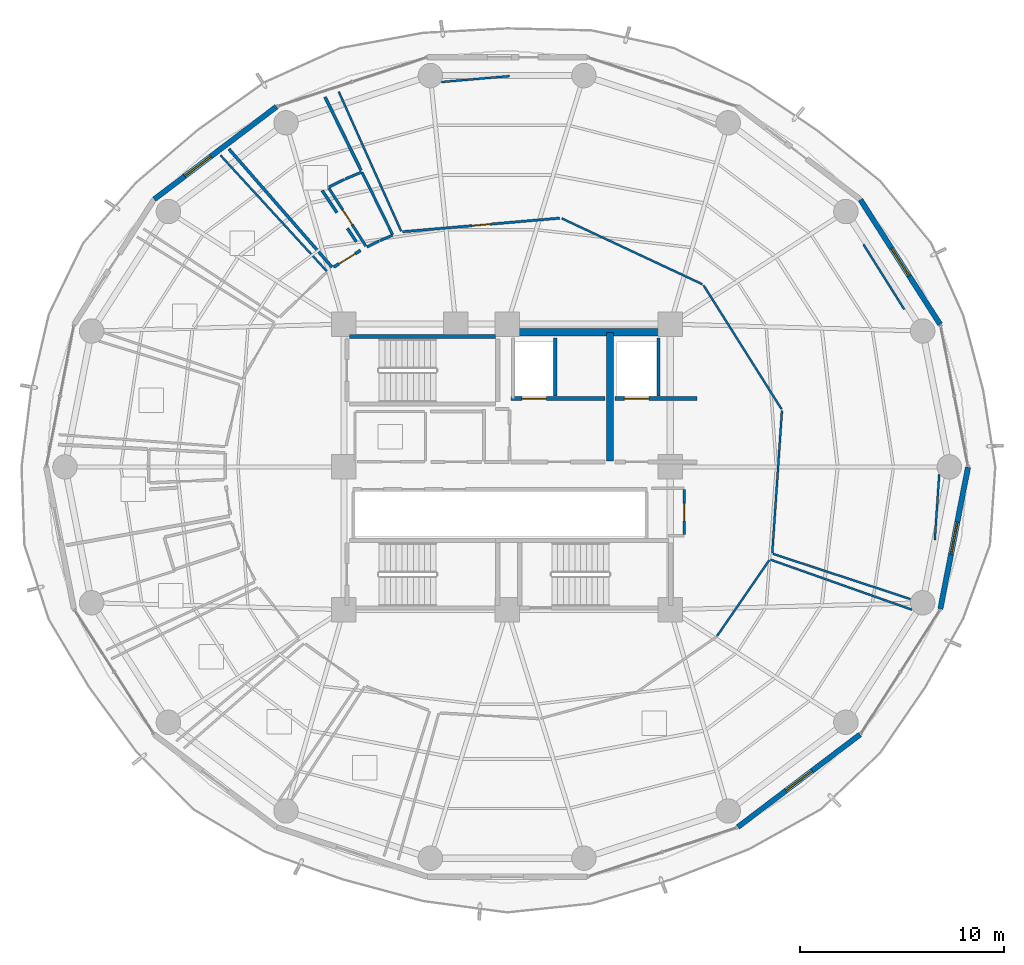
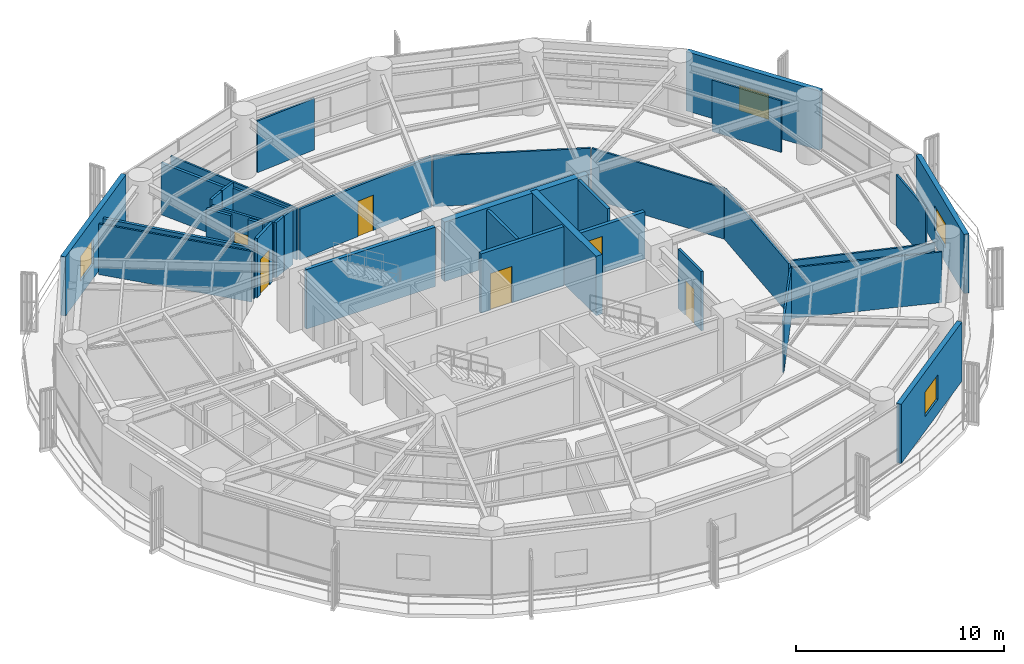
# One storey, part 23 of 28: 35 walls, 6 doors, 4 windows, 10 openings.
"""IFC4 building model written with IfcOpenShell, lengths in metres."""

from ifc_helpers import new_model, si_unit, direction, frame, frame_2d, origin, place, context, subcontext, project, spatial, rectangle, extrude, material, layer, layer_set, type_object, element, fill, save


model = new_model("IFC4")

# Units and contexts
model_context = context("Model", 3, precision=1e-05, world=origin(), true_north=direction((0.0, 1.0)))
body_context = subcontext(model_context, "Body", "Model", "MODEL_VIEW")
ifc_project = project(units=[si_unit("LENGTHUNIT", "METRE"), si_unit("AREAUNIT", "SQUARE_METRE"), si_unit("VOLUMEUNIT", "CUBIC_METRE"), si_unit("PLANEANGLEUNIT", "RADIAN"), si_unit("MASSUNIT", "GRAM", prefix="KILO")], contexts=[model_context])

# Site, building, storey
site_placement = place(None, origin())
site = spatial("IfcSite", under=ifc_project, at=site_placement, CompositionType="ELEMENT")
building_placement = place(site_placement, origin())
building = spatial("IfcBuilding", under=site, at=building_placement, Name="Kelanora Arch Commons", CompositionType="ELEMENT")
storey_placement = place(building_placement, frame((0.0, 0.0, 180.60009765625)))
storey = spatial("IfcBuildingStorey", under=building, at=storey_placement, Name="L46", CompositionType="ELEMENT", Elevation=180.60009765625)

# Walls
ifc_material_1 = material(Name="Autoclaved aerated concrete blockwork with fire plaster", Category="masonry")
ifc_layer_1 = layer(ifc_material_1, 0.14990234375)
ifc_layer_set_1 = layer_set([ifc_layer_1], Name="Autoclaved aerated concrete blockwork with fire plaster")
wall_type_1 = type_object("IfcWallType", Name="W-COMP-150", PredefinedType="PARTITIONING", material=ifc_layer_set_1)
for number, where, z_axis, x_axis, name in (
    (1, (76.360107421875, 61.47998046875, 0.0), (0.0, 0.0, 1.0), (0.0, 1.0, 0.0), "Firefighting Lift 1 East Shaft Wall L46"),
    (2, (81.419921875, 61.47998046875, 0.0), (0.0, 0.0, 1.0), (0.0, 1.0, 0.0), "Firefighting Lift 2 East Shaft Wall L46"),
):
    element("IfcWall", number, at=place(storey_placement, frame(where, z_axis=z_axis, x_axis=x_axis)), inside=storey, type_object=wall_type_1, Name=name, PredefinedType="PARTITIONING", context=body_context, shape_type="SweptSolid", body=[
        extrude(rectangle(XDim=2.840087890625, YDim=0.14990234375, at=frame_2d((1.419921875, 0.0))), origin(), (0.0, 0.0, 1.0), 3.47998046875),
    ])

# Wall, opening, door
wall_1_placement = place(storey_placement, frame((66.81396484375, 68.616455078125, 0.0), z_axis=(0.0, 0.0, 1.0), x_axis=(-0.849572284685, -0.527472210732, 0.0)))
wall_1 = element("IfcWall", 3, at=wall_1_placement, inside=storey, type_object=wall_type_1, Name="Co-Living Studio L46-01 Entry Partition", PredefinedType="PARTITIONING", context=body_context, shape_type="SweptSolid", body=[
    extrude(rectangle(XDim=1.55615234375, YDim=0.14990234375, at=frame_2d((0.778076171875, 0.0))), origin(), (0.0, 0.0, 1.0), 3.47998046875),
])
opening_1_placement = place(wall_1_placement, frame((0.302978515625, 0.0, 0.0)))
opening_1 = element("IfcOpeningElement", 4, at=opening_1_placement, cuts=wall_1, Name="Opening D-CLU1", PredefinedType="OPENING", context=body_context, shape_type="SweptSolid", body=[
    extrude(rectangle(XDim=0.949951171875, YDim=2.080078125, at=frame_2d((0.47509765625, 1.0400390625))), frame((0.0, 0.0849609375, 0.0), z_axis=(0.0, -1.0, 0.0), x_axis=(1.0, 0.0, 0.0)), (0.0, 0.0, 1.0), 0.169921875),
])
ifc_material_2 = material(Name="Solid-core acoustic timber cluster entry fire door", Category="wood")
door_type_1 = type_object("IfcDoorType", Name="D-CLU-95", OperationType="NOTDEFINED", PredefinedType="DOOR", material=ifc_material_2)
door_1_placement = place(opening_1_placement, origin())
door_1 = element("IfcDoor", 5, at=door_1_placement, inside=storey, type_object=door_type_1, Name="Co-Living Studio L46-01 Door", OperationType="SINGLE_SWING_LEFT", OverallHeight=2.080078125, OverallWidth=0.949951171875, PredefinedType="DOOR", context=body_context, shape_type="SweptSolid", body=[
    extrude(rectangle(XDim=0.949951171875, YDim=2.080078125, at=frame_2d((0.47509765625, 1.0400390625))), frame((0.0, 0.02490234375, 0.0), z_axis=(0.0, -1.0, 0.0), x_axis=(1.0, 0.0, 0.0)), (0.0, 0.0, 1.0), 0.050048828125),
])
fill(opening_1, door_1)

# Walls
wall_2_placement = place(storey_placement, frame((65.414794921875, 67.794189453125, 0.0), z_axis=(0.0, 0.0, 1.0), x_axis=(-0.657449338105, 0.753498751044, 0.0)))
element("IfcWall", 6, at=wall_2_placement, inside=storey, type_object=wall_type_1, Name="Co-Living Studio L46-01 Enclosure Partition 2", PredefinedType="PARTITIONING", context=body_context, shape_type="SweptSolid", body=[
    extrude(rectangle(XDim=7.6865234375, YDim=0.14990234375, at=frame_2d((3.84326171875, 0.0))), origin(), (0.0, 0.0, 1.0), 2.974853515625),
])
wall_3_placement = place(storey_placement, frame((65.071533203125, 76.13916015625, 0.0), z_axis=(0.0, 0.0, 1.0), x_axis=(0.44056455493, -0.897720932662, 0.0)))
element("IfcWall", 7, at=wall_3_placement, inside=storey, type_object=wall_type_1, Name="Co-Living Studio L46-01 Enclosure Partition 5", PredefinedType="PARTITIONING", context=body_context, shape_type="SweptSolid", body=[
    extrude(rectangle(XDim=4.01708984375, YDim=0.14990234375, at=frame_2d((2.008544921875, 0.0))), origin(), (0.0, 0.0, 1.0), 3.02490234375),
])
wall_4_placement = place(storey_placement, frame((64.93017578125, 71.55078125, 0.0), z_axis=(0.0, 0.0, 1.0), x_axis=(0.554614122057, -0.832107670686, 0.0)))
element("IfcWall", 8, at=wall_4_placement, inside=storey, type_object=wall_type_1, Name="Co-Living Studio L46-01 Enclosure Partition 7", PredefinedType="PARTITIONING", context=body_context, shape_type="SweptSolid", body=[
    extrude(rectangle(XDim=1.30908203125, YDim=0.14990234375, at=frame_2d((0.654541015625, 0.0))), origin(), (0.0, 0.0, 1.0), 3.1748046875),
])
wall_5_placement = place(storey_placement, frame((66.16650390625, 69.69580078125, 0.0), z_axis=(0.0, 0.0, 1.0), x_axis=(0.554700196225, -0.832050294338, 0.0)))
element("IfcWall", 9, at=wall_5_placement, inside=storey, type_object=wall_type_1, Name="Co-Living Studio L46-01 Enclosure Partition 7", PredefinedType="PARTITIONING", context=body_context, shape_type="SweptSolid", body=[
    extrude(rectangle(XDim=0.792236328125, YDim=0.14990234375, at=frame_2d((0.39599609375, 0.0))), origin(), (0.0, 0.0, 1.0), 3.23486328125),
])
ifc_material_3 = material(Name="Concrete C50/60", Category="concrete")
ifc_layer_2 = layer(ifc_material_3, 0.35009765625)
ifc_layer_set_2 = layer_set([ifc_layer_2], Name="Concrete C50/60")
wall_type_2 = type_object("IfcWallType", Name="W-CORE-350", PredefinedType="SHEAR", material=ifc_layer_set_2)
wall_6_placement = place(storey_placement, frame((74.0, 64.60009765625, 0.0), z_axis=(0.0, 0.0, 1.0), x_axis=(1.0, 0.0, 0.0)))
element("IfcWall", 10, at=wall_6_placement, inside=storey, type_object=wall_type_2, Name="Core Shear Spine L46-CN-E", PredefinedType="SHEAR", context=body_context, shape_type="SweptSolid", body=[
    extrude(rectangle(XDim=8.0, YDim=0.35009765625, at=frame_2d((4.0, 0.0))), origin(), (0.0, 0.0, 1.0), 3.489990234375),
])
wall_7_placement = place(storey_placement, frame((79.050048828125, 58.300048828125, 0.0), z_axis=(0.0, 0.0, 1.0), x_axis=(0.0, 1.0, 0.0)))
element("IfcWall", 11, at=wall_7_placement, inside=storey, type_object=wall_type_2, Name="Core Shear Spine L46-CE-N", PredefinedType="SHEAR", context=body_context, shape_type="SweptSolid", body=[
    extrude(rectangle(XDim=6.300048828125, YDim=0.35009765625, at=frame_2d((3.14990234375, 0.0))), origin(), (0.0, 0.0, 1.0), 3.489990234375),
])

# Wall, opening, window
ifc_material_4 = material(Name="Precast concrete C40/50 with terracotta rainscreen", Category="masonry")
ifc_layer_3 = layer(ifc_material_4, 0.260009765625)
ifc_layer_set_3 = layer_set([ifc_layer_3], Name="Precast concrete C40/50 with terracotta rainscreen")
wall_type_3 = type_object("IfcWallType", Name="W-EXT-TC", PredefinedType="SOLIDWALL", material=ifc_layer_set_3)
wall_8_placement = place(storey_placement, frame((95.22900390625, 64.98974609375, 0.0), z_axis=(0.0, 0.0, 1.0), x_axis=(-0.538801521808, 0.842432739213, 0.0)))
wall_8 = element("IfcWall", 12, at=wall_8_placement, inside=storey, type_object=wall_type_3, Name="Terracotta Exterior Wall L46-B01", PredefinedType="SOLIDWALL", context=body_context, shape_type="SweptSolid", body=[
    extrude(rectangle(XDim=7.25341796875, YDim=0.260009765625, at=frame_2d((3.626708984375, 0.0))), origin(), (0.0, 0.0, 1.0), 3.474853515625),
])
opening_2_placement = place(wall_8_placement, frame((2.826904296875, 0.0, 0.85009765625)))
opening_2 = element("IfcOpeningElement", 13, at=opening_2_placement, cuts=wall_8, Name="Opening WN-01", PredefinedType="OPENING", context=body_context, shape_type="SweptSolid", body=[
    extrude(rectangle(XDim=1.60009765625, YDim=1.449951171875, at=frame_2d((0.800048828125, 0.72509765625))), frame((0.0, 0.14013671875, 0.0), z_axis=(0.0, -1.0, 0.0), x_axis=(1.0, 0.0, 0.0)), (0.0, 0.0, 1.0), 0.280029296875),
])
ifc_material_5 = material(Name="Terracotta-anodised aluminium frame with operable low-E glazing", Category="masonry")
window_type = type_object("IfcWindowType", Name="WIN-CL-18", PartitioningType="DOUBLE_PANEL_VERTICAL", PredefinedType="WINDOW", material=ifc_material_5)
window_1_placement = place(opening_2_placement, origin())
window_1 = element("IfcWindow", 14, at=window_1_placement, inside=storey, type_object=window_type, Name="Co-Living Operable Window L46-B01", OverallHeight=1.449951171875, OverallWidth=1.60009765625, PartitioningType="SINGLE_PANEL", PredefinedType="WINDOW", context=body_context, shape_type="SweptSolid", body=[
    extrude(rectangle(XDim=1.60009765625, YDim=1.449951171875, at=frame_2d((0.800048828125, 0.72509765625))), frame((0.0, 0.030029296875, 0.0), z_axis=(0.0, -1.0, 0.0), x_axis=(1.0, 0.0, 0.0)), (0.0, 0.0, 1.0), 0.06005859375),
])
fill(opening_2, window_1)

wall_9_placement = place(storey_placement, frame((62.68798828125, 75.65771484375, 0.0), z_axis=(0.0, 0.0, 1.0), x_axis=(-0.797163719609, -0.603763202042, 0.0)))
wall_9 = element("IfcWall", 15, at=wall_9_placement, inside=storey, type_object=wall_type_3, Name="Terracotta Exterior Wall L46-B06", PredefinedType="SOLIDWALL", context=body_context, shape_type="SweptSolid", body=[
    extrude(rectangle(XDim=7.51220703125, YDim=0.260009765625, at=frame_2d((3.756103515625, 0.0))), origin(), (0.0, 0.0, 1.0), 3.474853515625),
])
opening_3_placement = place(wall_9_placement, frame((4.035888671875, 0.0, 0.85009765625)))
opening_3 = element("IfcOpeningElement", 16, at=opening_3_placement, cuts=wall_9, Name="Opening WN-01", PredefinedType="OPENING", context=body_context, shape_type="SweptSolid", body=[
    extrude(rectangle(XDim=1.60009765625, YDim=1.449951171875, at=frame_2d((0.800048828125, 0.72509765625))), frame((0.0, 0.14013671875, 0.0), z_axis=(0.0, -1.0, 0.0), x_axis=(1.0, 0.0, 0.0)), (0.0, 0.0, 1.0), 0.280029296875),
])
window_2_placement = place(opening_3_placement, origin())
window_2 = element("IfcWindow", 17, at=window_2_placement, inside=storey, type_object=window_type, Name="Co-Living Operable Window L46-B06", OverallHeight=1.449951171875, OverallWidth=1.60009765625, PartitioningType="SINGLE_PANEL", PredefinedType="WINDOW", context=body_context, shape_type="SweptSolid", body=[
    extrude(rectangle(XDim=1.60009765625, YDim=1.449951171875, at=frame_2d((0.800048828125, 0.72509765625))), frame((0.0, 0.030029296875, 0.0), z_axis=(0.0, -1.0, 0.0), x_axis=(1.0, 0.0, 0.0)), (0.0, 0.0, 1.0), 0.06005859375),
])
fill(opening_3, window_2)

wall_10_placement = place(storey_placement, frame((85.31201171875, 40.34228515625, 0.0), z_axis=(0.0, 0.0, 1.0), x_axis=(0.797163719609, 0.603763202042, 0.0)))
wall_10 = element("IfcWall", 18, at=wall_10_placement, inside=storey, type_object=wall_type_3, Name="Terracotta Exterior Wall L46-B15", PredefinedType="SOLIDWALL", context=body_context, shape_type="SweptSolid", body=[
    extrude(rectangle(XDim=7.51220703125, YDim=0.260009765625, at=frame_2d((3.756103515625, 0.0))), origin(), (0.0, 0.0, 1.0), 3.474853515625),
])
opening_4_placement = place(wall_10_placement, frame((2.9560546875, 0.0, 0.85009765625)))
opening_4 = element("IfcOpeningElement", 19, at=opening_4_placement, cuts=wall_10, Name="Opening WN-01", PredefinedType="OPENING", context=body_context, shape_type="SweptSolid", body=[
    extrude(rectangle(XDim=1.60009765625, YDim=1.449951171875, at=frame_2d((0.800048828125, 0.72509765625))), frame((0.0, 0.14013671875, 0.0), z_axis=(0.0, -1.0, 0.0), x_axis=(1.0, 0.0, 0.0)), (0.0, 0.0, 1.0), 0.280029296875),
])
window_3_placement = place(opening_4_placement, origin())
window_3 = element("IfcWindow", 20, at=window_3_placement, inside=storey, type_object=window_type, Name="Co-Living Operable Window L46-B15", OverallHeight=1.449951171875, OverallWidth=1.60009765625, PartitioningType="SINGLE_PANEL", PredefinedType="WINDOW", context=body_context, shape_type="SweptSolid", body=[
    extrude(rectangle(XDim=1.60009765625, YDim=1.449951171875, at=frame_2d((0.800048828125, 0.72509765625))), frame((0.0, 0.030029296875, 0.0), z_axis=(0.0, -1.0, 0.0), x_axis=(1.0, 0.0, 0.0)), (0.0, 0.0, 1.0), 0.06005859375),
])
fill(opening_4, window_3)

wall_11_placement = place(storey_placement, frame((95.239990234375, 51.03759765625, 0.0), z_axis=(0.0, 0.0, 1.0), x_axis=(0.191716984769, 0.981450252306, 0.0)))
wall_11 = element("IfcWall", 21, at=wall_11_placement, inside=storey, type_object=wall_type_3, Name="Terracotta Exterior Wall L46-B17", PredefinedType="SOLIDWALL", context=body_context, shape_type="SweptSolid", body=[
    extrude(rectangle(XDim=7.0791015625, YDim=0.260009765625, at=frame_2d((3.53955078125, 0.0))), origin(), (0.0, 0.0, 1.0), 3.474853515625),
])
opening_5_placement = place(wall_11_placement, frame((2.739990234375, 0.0, 0.85009765625)))
opening_5 = element("IfcOpeningElement", 22, at=opening_5_placement, cuts=wall_11, Name="Opening WN-01", PredefinedType="OPENING", context=body_context, shape_type="SweptSolid", body=[
    extrude(rectangle(XDim=1.60009765625, YDim=1.449951171875, at=frame_2d((0.800048828125, 0.72509765625))), frame((0.0, 0.14013671875, 0.0), z_axis=(0.0, -1.0, 0.0), x_axis=(1.0, 0.0, 0.0)), (0.0, 0.0, 1.0), 0.280029296875),
])
window_4_placement = place(opening_5_placement, origin())
window_4 = element("IfcWindow", 23, at=window_4_placement, inside=storey, type_object=window_type, Name="Co-Living Operable Window L46-B17", OverallHeight=1.449951171875, OverallWidth=1.60009765625, PartitioningType="SINGLE_PANEL", PredefinedType="WINDOW", context=body_context, shape_type="SweptSolid", body=[
    extrude(rectangle(XDim=1.60009765625, YDim=1.449951171875, at=frame_2d((0.800048828125, 0.72509765625))), frame((0.0, 0.030029296875, 0.0), z_axis=(0.0, -1.0, 0.0), x_axis=(1.0, 0.0, 0.0)), (0.0, 0.0, 1.0), 0.06005859375),
])
fill(opening_5, window_4)

# Wall, opening, door
ifc_material_6 = material(Name="Concrete C40/50", Category="concrete")
ifc_layer_4 = layer(ifc_material_6, 0.199951171875)
ifc_layer_set_4 = layer_set([ifc_layer_4], Name="Concrete C40/50")
wall_type_4 = type_object("IfcWallType", Name="W-FFL-200", PredefinedType="SOLIDWALL", material=ifc_layer_set_4)
wall_12_placement = place(storey_placement, frame((74.199951171875, 61.35009765625, 0.0), z_axis=(0.0, 0.0, 1.0), x_axis=(1.0, 0.0, 0.0)))
wall_12 = element("IfcWall", 24, at=wall_12_placement, inside=storey, type_object=wall_type_4, Name="Firefighting Lift 1 Shaft Front L46", PredefinedType="SOLIDWALL", context=body_context, shape_type="SweptSolid", body=[
    extrude(rectangle(XDim=4.60009765625, YDim=0.199951171875, at=frame_2d((2.300048828125, 0.0))), origin(), (0.0, 0.0, 1.0), 3.47998046875),
])
opening_6_placement = place(wall_12_placement, frame((0.52001953125, 0.0, 0.0)))
opening_6 = element("IfcOpeningElement", 25, at=opening_6_placement, cuts=wall_12, Name="Opening LD-FF", PredefinedType="OPENING", context=body_context, shape_type="SweptSolid", body=[
    extrude(rectangle(XDim=1.199951171875, YDim=2.14990234375, at=frame_2d((0.60009765625, 1.074951171875))), frame((0.0, 0.10986328125, 0.0), z_axis=(0.0, -1.0, 0.0), x_axis=(1.0, 0.0, 0.0)), (0.0, 0.0, 1.0), 0.219970703125),
])
ifc_material_7 = material(Name="Fire-rated firefighters lift sliding landing door")
door_type_2 = type_object("IfcDoorType", Name="D-LIFT-FF", OperationType="NOTDEFINED", PredefinedType="DOOR", material=ifc_material_7)
door_2_placement = place(opening_6_placement, origin())
door_2 = element("IfcDoor", 26, at=door_2_placement, inside=storey, type_object=door_type_2, Name="Firefighting Lift LF-FF1 Landing Door L46", OperationType="DOUBLE_DOOR_SLIDING", OverallHeight=2.14990234375, OverallWidth=1.199951171875, PredefinedType="DOOR", context=body_context, shape_type="SweptSolid", body=[
    extrude(rectangle(XDim=1.199951171875, YDim=2.14990234375, at=frame_2d((0.60009765625, 1.074951171875))), frame((0.0, 0.02490234375, 0.0), z_axis=(0.0, -1.0, 0.0), x_axis=(1.0, 0.0, 0.0)), (0.0, 0.0, 1.0), 0.050048828125),
])
fill(opening_6, door_2)

wall_13_placement = place(storey_placement, frame((79.300048828125, 61.35009765625, 0.0), z_axis=(0.0, 0.0, 1.0), x_axis=(1.0, 0.0, 0.0)))
wall_13 = element("IfcWall", 27, at=wall_13_placement, inside=storey, type_object=wall_type_4, Name="Firefighting Lift 2 Shaft Front L46", PredefinedType="SOLIDWALL", context=body_context, shape_type="SweptSolid", body=[
    extrude(rectangle(XDim=4.0, YDim=0.199951171875, at=frame_2d((2.0, 0.0))), origin(), (0.0, 0.0, 1.0), 2.77490234375),
])
opening_7_placement = place(wall_13_placement, frame((0.449951171875, 0.0, 0.0)))
opening_7 = element("IfcOpeningElement", 28, at=opening_7_placement, cuts=wall_13, Name="Opening LD-FF", PredefinedType="OPENING", context=body_context, shape_type="SweptSolid", body=[
    extrude(rectangle(XDim=1.199951171875, YDim=2.14990234375, at=frame_2d((0.60009765625, 1.074951171875))), frame((0.0, 0.10986328125, 0.0), z_axis=(0.0, -1.0, 0.0), x_axis=(1.0, 0.0, 0.0)), (0.0, 0.0, 1.0), 0.219970703125),
])
door_3_placement = place(opening_7_placement, origin())
door_3 = element("IfcDoor", 29, at=door_3_placement, inside=storey, type_object=door_type_2, Name="Firefighting Lift LF-FF2 Landing Door L46", OperationType="DOUBLE_DOOR_SLIDING", OverallHeight=2.14990234375, OverallWidth=1.199951171875, PredefinedType="DOOR", context=body_context, shape_type="SweptSolid", body=[
    extrude(rectangle(XDim=1.199951171875, YDim=2.14990234375, at=frame_2d((0.60009765625, 1.074951171875))), frame((0.0, 0.02490234375, 0.0), z_axis=(0.0, -1.0, 0.0), x_axis=(1.0, 0.0, 0.0)), (0.0, 0.0, 1.0), 0.050048828125),
])
fill(opening_7, door_3)

# Walls
ifc_material_8 = material(Name="Lightweight fire-rated acoustic stud partition")
ifc_layer_5 = layer(ifc_material_8, 0.10009765625)
ifc_layer_set_5 = layer_set([ifc_layer_5], Name="Lightweight fire-rated acoustic stud partition")
wall_type_5 = type_object("IfcWallType", Name="W-PART-100", PredefinedType="PARTITIONING", material=ifc_layer_set_5)
wall_14_placement = place(storey_placement, frame((84.292724609375, 49.7080078125, 0.0), z_axis=(0.0, 0.0, 1.0), x_axis=(0.566732833033, 0.823901630028, 0.0)))
element("IfcWall", 30, at=wall_14_placement, inside=storey, type_object=wall_type_5, Name="South-East Social Sky Lounge L46 Enclosure Partition 4", PredefinedType="PARTITIONING", context=body_context, shape_type="SweptSolid", body=[
    extrude(rectangle(XDim=4.519775390625, YDim=0.10009765625, at=frame_2d((2.259765625, 0.0))), origin(), (0.0, 0.0, 1.0), 2.974853515625),
])
wall_15_placement = place(storey_placement, frame((86.914794921875, 53.45166015625, 0.0), z_axis=(0.0, 0.0, 1.0), x_axis=(0.942679225918, -0.333700280226, 0.0)))
element("IfcWall", 31, at=wall_15_placement, inside=storey, type_object=wall_type_5, Name="South-East Social Sky Lounge L46 Enclosure Partition 5", PredefinedType="PARTITIONING", context=body_context, shape_type="SweptSolid", body=[
    extrude(rectangle(XDim=7.35498046875, YDim=0.10009765625, at=frame_2d((3.677490234375, 0.0))), origin(), (0.0, 0.0, 1.0), 2.974853515625),
])
wall_16_placement = place(storey_placement, frame((86.998779296875, 53.788818359375, 0.0), z_axis=(0.0, 0.0, 1.0), x_axis=(0.06796220027, 0.997687896757, 0.0)))
element("IfcWall", 32, at=wall_16_placement, inside=storey, type_object=wall_type_5, Name="North-East Quiet Study Commons L46 Enclosure Partition 1", PredefinedType="PARTITIONING", context=body_context, shape_type="SweptSolid", body=[
    extrude(rectangle(XDim=6.9833984375, YDim=0.10009765625, at=frame_2d((3.49169921875, 0.0))), origin(), (0.0, 0.0, 1.0), 2.974853515625),
])
wall_17_placement = place(storey_placement, frame((87.45458984375, 60.829833984375, 0.0), z_axis=(0.0, 0.0, 1.0), x_axis=(-0.532779908113, 0.846253844606, 0.0)))
element("IfcWall", 33, at=wall_17_placement, inside=storey, type_object=wall_type_5, Name="North-East Quiet Study Commons L46 Enclosure Partition 2", PredefinedType="PARTITIONING", context=body_context, shape_type="SweptSolid", body=[
    extrude(rectangle(XDim=7.181640625, YDim=0.10009765625, at=frame_2d((3.5908203125, 0.0))), origin(), (0.0, 0.0, 1.0), 2.974853515625),
])
wall_18_placement = place(storey_placement, frame((83.57080078125, 66.9580078125, 0.0), z_axis=(0.0, 0.0, 1.0), x_axis=(-0.905722184587, 0.423871825374, 0.0)))
element("IfcWall", 34, at=wall_18_placement, inside=storey, type_object=wall_type_5, Name="North-East Quiet Study Commons L46 Enclosure Partition 3", PredefinedType="PARTITIONING", context=body_context, shape_type="SweptSolid", body=[
    extrude(rectangle(XDim=7.61328125, YDim=0.10009765625, at=frame_2d((3.806640625, 0.0))), origin(), (0.0, 0.0, 1.0), 2.974853515625),
])
wall_19_placement = place(storey_placement, frame((68.802734375, 69.5615234375, 0.0), z_axis=(0.0, 0.0, 1.0), x_axis=(-0.408373210504, 0.912815052978, 0.0)))
element("IfcWall", 35, at=wall_19_placement, inside=storey, type_object=wall_type_5, Name="North-East Quiet Study Commons L46 Enclosure Partition 5", PredefinedType="PARTITIONING", context=body_context, shape_type="SweptSolid", body=[
    extrude(rectangle(XDim=7.48681640625, YDim=0.10009765625, at=frame_2d((3.743408203125, 0.0))), origin(), (0.0, 0.0, 1.0), 3.02490234375),
])
wall_20_placement = place(storey_placement, frame((70.775390625, 76.869873046875, 0.0), z_axis=(0.0, 0.0, 1.0), x_axis=(0.996259989343, 0.086406212938, 0.0)))
element("IfcWall", 36, at=wall_20_placement, inside=storey, type_object=wall_type_5, Name="North-East Quiet Study Commons L46 Enclosure Partition 6", PredefinedType="PARTITIONING", context=body_context, shape_type="SweptSolid", body=[
    extrude(rectangle(XDim=3.34814453125, YDim=0.10009765625, at=frame_2d((1.674072265625, 0.0))), origin(), (0.0, 0.0, 1.0), 3.02490234375),
])
wall_21_placement = place(storey_placement, frame((91.468505859375, 68.909912109375, 0.0), z_axis=(0.0, 0.0, 1.0), x_axis=(0.532022608376, -0.846730148381, 0.0)))
element("IfcWall", 37, at=wall_21_placement, inside=storey, type_object=wall_type_5, Name="North-East Quiet Study Commons L46 Enclosure Partition 8", PredefinedType="PARTITIONING", context=body_context, shape_type="SweptSolid", body=[
    extrude(rectangle(XDim=3.76025390625, YDim=0.10009765625, at=frame_2d((1.880126953125, 0.0))), origin(), (0.0, 0.0, 1.0), 3.02490234375),
])
wall_22_placement = place(storey_placement, frame((95.18408203125, 57.619384765625, 0.0), z_axis=(0.0, 0.0, 1.0), x_axis=(-0.06775835494, -0.997701761718, 0.0)))
element("IfcWall", 38, at=wall_22_placement, inside=storey, type_object=wall_type_5, Name="North-East Quiet Study Commons L46 Enclosure Partition 9", PredefinedType="PARTITIONING", context=body_context, shape_type="SweptSolid", body=[
    extrude(rectangle(XDim=3.203125, YDim=0.10009765625, at=frame_2d((1.6015625, 0.0))), origin(), (0.0, 0.0, 1.0), 3.02490234375),
])
wall_23_placement = place(storey_placement, frame((93.77490234375, 51.520751953125, 0.0), z_axis=(0.0, 0.0, 1.0), x_axis=(-0.949992823036, 0.312271734521, 0.0)))
element("IfcWall", 39, at=wall_23_placement, inside=storey, type_object=wall_type_5, Name="North-East Quiet Study Commons L46 Enclosure Partition 10", PredefinedType="PARTITIONING", context=body_context, shape_type="SweptSolid", body=[
    extrude(rectangle(XDim=7.095703125, YDim=0.10009765625, at=frame_2d((3.5478515625, 0.0))), origin(), (0.0, 0.0, 1.0), 3.1748046875),
])
wall_24_placement = place(storey_placement, frame((59.943115234375, 73.280517578125, 0.0), z_axis=(0.0, 0.0, 1.0), x_axis=(0.675932664954, -0.736963386097, 0.0)))
element("IfcWall", 40, at=wall_24_placement, inside=storey, type_object=wall_type_5, Name="Quiet Seminar Study Room L46-02 Enclosure Partition 4", PredefinedType="PARTITIONING", context=body_context, shape_type="SweptSolid", body=[
    extrude(rectangle(XDim=7.70458984375, YDim=0.10009765625, at=frame_2d((3.852294921875, 0.0))), origin(), (0.0, 0.0, 1.0), 2.974853515625),
])

# Wall, opening, door
ifc_material_9 = material(Name="Acoustic twin-stud fire-rated gypsum partition")
ifc_layer_6 = layer(ifc_material_9, 0.1201171875)
ifc_layer_set_6 = layer_set([ifc_layer_6], Name="Acoustic twin-stud fire-rated gypsum partition")
wall_type_6 = type_object("IfcWallType", Name="W-PART-120", PredefinedType="PARTITIONING", material=ifc_layer_set_6)
wall_25_placement = place(storey_placement, frame((76.5791015625, 70.19677734375, 0.0), z_axis=(0.0, 0.0, 1.0), x_axis=(-0.99627488284, -0.086234319282, 0.0)))
wall_25 = element("IfcWall", 41, at=wall_25_placement, inside=storey, type_object=wall_type_6, Name="North-East Quiet Study Commons L46 Entry Partition", PredefinedType="PARTITIONING", context=body_context, shape_type="SweptSolid", body=[
    extrude(rectangle(XDim=7.72900390625, YDim=0.1201171875, at=frame_2d((3.864501953125, 0.0))), origin(), (0.0, 0.0, 1.0), 2.974853515625),
])
opening_8_placement = place(wall_25_placement, frame((3.4150390625, 0.0, 0.0)))
opening_8 = element("IfcOpeningElement", 42, at=opening_8_placement, cuts=wall_25, Name="Opening D-RM1", PredefinedType="OPENING", context=body_context, shape_type="SweptSolid", body=[
    extrude(rectangle(XDim=0.89990234375, YDim=2.080078125, at=frame_2d((0.449951171875, 1.0400390625))), frame((0.0, 0.070068359375, 0.0), z_axis=(0.0, -1.0, 0.0), x_axis=(1.0, 0.0, 0.0)), (0.0, 0.0, 1.0), 0.14013671875),
])
ifc_material_10 = material(Name="Acoustic fire-rated timber study and lounge door", Category="wood")
door_type_3 = type_object("IfcDoorType", Name="D-ROOM-90", OperationType="NOTDEFINED", PredefinedType="DOOR", material=ifc_material_10)
door_4_placement = place(opening_8_placement, origin())
door_4 = element("IfcDoor", 43, at=door_4_placement, inside=storey, type_object=door_type_3, Name="North-East Quiet Study Commons L46 Door", OperationType="SINGLE_SWING_LEFT", OverallHeight=2.080078125, OverallWidth=0.89990234375, PredefinedType="DOOR", context=body_context, shape_type="SweptSolid", body=[
    extrude(rectangle(XDim=0.89990234375, YDim=2.080078125, at=frame_2d((0.449951171875, 1.0400390625))), frame((0.0, 0.02490234375, 0.0), z_axis=(0.0, -1.0, 0.0), x_axis=(1.0, 0.0, 0.0)), (0.0, 0.0, 1.0), 0.050048828125),
])
fill(opening_8, door_4)

# Wall
ifc_layer_7 = layer(ifc_material_6, 0.199951171875)
ifc_layer_set_7 = layer_set([ifc_layer_7], Name="Concrete C40/50")
wall_type_7 = type_object("IfcWallType", Name="W-STAIR-200", PredefinedType="SHEAR", material=ifc_layer_set_7)
wall_26_placement = place(storey_placement, frame((73.419921875, 64.389892578125, 0.0), z_axis=(0.0, 0.0, 1.0), x_axis=(-1.0, 0.0, 0.0)))
element("IfcWall", 44, at=wall_26_placement, inside=storey, type_object=wall_type_7, Name="Stair ST-T1 Shaft Wall N L46", PredefinedType="SHEAR", context=body_context, shape_type="SweptSolid", body=[
    extrude(rectangle(XDim=7.159912109375, YDim=0.199951171875, at=frame_2d((3.580078125, 0.0))), origin(), (0.0, 0.0, 1.0), 3.489990234375),
])

# Wall, opening, door
ifc_material_11 = material(Name="Moisture-resistant fire-rated cement-board plumbing wall")
ifc_layer_8 = layer(ifc_material_11, 0.1298828125)
ifc_layer_set_8 = layer_set([ifc_layer_8], Name="Moisture-resistant fire-rated cement-board plumbing wall")
wall_type_8 = type_object("IfcWallType", Name="W-WET-120", PredefinedType="PLUMBINGWALL", material=ifc_layer_set_8)
wall_27_placement = place(storey_placement, frame((82.679931640625, 54.679931640625, 0.0), z_axis=(0.0, 0.0, 1.0), x_axis=(0.0, 1.0, 0.0)))
wall_27 = element("IfcWall", 45, at=wall_27_placement, inside=storey, type_object=wall_type_8, Name="Core Accessible Unisex WC L46 Entry Partition", PredefinedType="PLUMBINGWALL", context=body_context, shape_type="SweptSolid", body=[
    extrude(rectangle(XDim=2.2099609375, YDim=0.1298828125, at=frame_2d((1.10498046875, 0.0))), origin(), (0.0, 0.0, 1.0), 3.47998046875),
])
opening_9_placement = place(wall_27_placement, frame((0.675048828125, 0.0, 0.0)))
opening_9 = element("IfcOpeningElement", 46, at=opening_9_placement, cuts=wall_27, Name="Opening D-BT1", PredefinedType="OPENING", context=body_context, shape_type="SweptSolid", body=[
    extrude(rectangle(XDim=0.860107421875, YDim=2.050048828125, at=frame_2d((0.43017578125, 1.02490234375))), frame((0.0, 0.074951171875, 0.0), z_axis=(0.0, -1.0, 0.0), x_axis=(1.0, 0.0, 0.0)), (0.0, 0.0, 1.0), 0.14990234375),
])
ifc_material_12 = material(Name="Moisture-sealed fire-rated accessible bathroom door")
door_type_4 = type_object("IfcDoorType", Name="D-BATH-85", OperationType="NOTDEFINED", PredefinedType="DOOR", material=ifc_material_12)
door_5_placement = place(opening_9_placement, origin())
door_5 = element("IfcDoor", 47, at=door_5_placement, inside=storey, type_object=door_type_4, Name="Core Accessible Unisex WC L46 Door", OperationType="SINGLE_SWING_LEFT", OverallHeight=2.050048828125, OverallWidth=0.860107421875, PredefinedType="DOOR", context=body_context, shape_type="SweptSolid", body=[
    extrude(rectangle(XDim=0.860107421875, YDim=2.050048828125, at=frame_2d((0.43017578125, 1.02490234375))), frame((0.0, 0.02490234375, 0.0), z_axis=(0.0, -1.0, 0.0), x_axis=(1.0, 0.0, 0.0)), (0.0, 0.0, 1.0), 0.050048828125),
])
fill(opening_9, door_5)

wall_28_placement = place(storey_placement, frame((67.07275390625, 68.82568359375, 0.0), z_axis=(0.0, 0.0, 1.0), x_axis=(-0.537814804981, 0.843063008051, 0.0)))
wall_28 = element("IfcWall", 48, at=wall_28_placement, inside=storey, type_object=wall_type_8, Name="En-Suite Shower WC L46-01 Entry Partition", PredefinedType="PLUMBINGWALL", context=body_context, shape_type="SweptSolid", body=[
    extrude(rectangle(XDim=3.3623046875, YDim=0.1298828125, at=frame_2d((1.68115234375, 0.0))), origin(), (0.0, 0.0, 1.0), 3.1748046875),
])
opening_10_placement = place(wall_28_placement, frame((1.2509765625, 0.0, 0.0)))
opening_10 = element("IfcOpeningElement", 49, at=opening_10_placement, cuts=wall_28, Name="Opening D-BT1", PredefinedType="OPENING", context=body_context, shape_type="SweptSolid", body=[
    extrude(rectangle(XDim=0.860107421875, YDim=2.050048828125, at=frame_2d((0.43017578125, 1.02490234375))), frame((0.0, 0.074951171875, 0.0), z_axis=(0.0, -1.0, 0.0), x_axis=(1.0, 0.0, 0.0)), (0.0, 0.0, 1.0), 0.14990234375),
])
door_6_placement = place(opening_10_placement, origin())
door_6 = element("IfcDoor", 50, at=door_6_placement, inside=storey, type_object=door_type_4, Name="En-Suite Shower WC L46-01 Door", OperationType="SINGLE_SWING_RIGHT", OverallHeight=2.050048828125, OverallWidth=0.860107421875, PredefinedType="DOOR", context=body_context, shape_type="SweptSolid", body=[
    extrude(rectangle(XDim=0.860107421875, YDim=2.050048828125, at=frame_2d((0.43017578125, 1.02490234375))), frame((0.0, 0.02490234375, 0.0), z_axis=(0.0, -1.0, 0.0), x_axis=(1.0, 0.0, 0.0)), (0.0, 0.0, 1.0), 0.050048828125),
])
fill(opening_10, door_6)

# Walls
wall_29_placement = place(storey_placement, frame((68.378662109375, 69.356201171875, 0.0), z_axis=(0.0, 0.0, 1.0), x_axis=(-0.919951191688, -0.392032913046, 0.0)))
element("IfcWall", 51, at=wall_29_placement, inside=storey, type_object=wall_type_8, Name="En-Suite Shower WC L46-01 Enclosure Partition 1", PredefinedType="PLUMBINGWALL", context=body_context, shape_type="SweptSolid", body=[
    extrude(rectangle(XDim=0.671875, YDim=0.1298828125, at=frame_2d((0.3359375, 0.0))), origin(), (0.0, 0.0, 1.0), 3.23486328125),
])
wall_30_placement = place(storey_placement, frame((67.72412109375, 69.076171875, 0.0), z_axis=(0.0, 0.0, 1.0), x_axis=(-0.899196253898, -0.437545537031, 0.0)))
element("IfcWall", 52, at=wall_30_placement, inside=storey, type_object=wall_type_8, Name="En-Suite Shower WC L46-01 Enclosure Partition 2", PredefinedType="PLUMBINGWALL", context=body_context, shape_type="SweptSolid", body=[
    extrude(rectangle(XDim=0.66845703125, YDim=0.1298828125, at=frame_2d((0.334228515625, 0.0))), origin(), (0.0, 0.0, 1.0), 3.23486328125),
])
wall_31_placement = place(storey_placement, frame((65.25, 71.7197265625, 0.0), z_axis=(0.0, 0.0, 1.0), x_axis=(0.899469970911, 0.43698257566, 0.0)))
element("IfcWall", 53, at=wall_31_placement, inside=storey, type_object=wall_type_8, Name="En-Suite Shower WC L46-01 Enclosure Partition 4", PredefinedType="PLUMBINGWALL", context=body_context, shape_type="SweptSolid", body=[
    extrude(rectangle(XDim=0.861572265625, YDim=0.1298828125, at=frame_2d((0.4306640625, 0.0))), origin(), (0.0, 0.0, 1.0), 3.47998046875),
])
wall_32_placement = place(storey_placement, frame((66.061279296875, 72.11279296875, 0.0), z_axis=(0.0, 0.0, 1.0), x_axis=(0.919552803105, 0.392966464601, 0.0)))
element("IfcWall", 54, at=wall_32_placement, inside=storey, type_object=wall_type_8, Name="En-Suite Shower WC L46-01 Enclosure Partition 5", PredefinedType="PLUMBINGWALL", context=body_context, shape_type="SweptSolid", body=[
    extrude(rectangle(XDim=0.865966796875, YDim=0.1298828125, at=frame_2d((0.43310546875, 0.0))), origin(), (0.0, 0.0, 1.0), 3.47998046875),
])
wall_33_placement = place(storey_placement, frame((66.884765625, 72.443115234375, 0.0), z_axis=(0.0, 0.0, 1.0), x_axis=(0.440845194529, -0.897583151836, 0.0)))
element("IfcWall", 55, at=wall_33_placement, inside=storey, type_object=wall_type_8, Name="En-Suite Shower WC L46-01 Enclosure Partition 6", PredefinedType="PLUMBINGWALL", context=body_context, shape_type="SweptSolid", body=[
    extrude(rectangle(XDim=3.410400390625, YDim=0.1298828125, at=frame_2d((1.705078125, 0.0))), origin(), (0.0, 0.0, 1.0), 3.1748046875),
])

save(model, "model.ifc")
